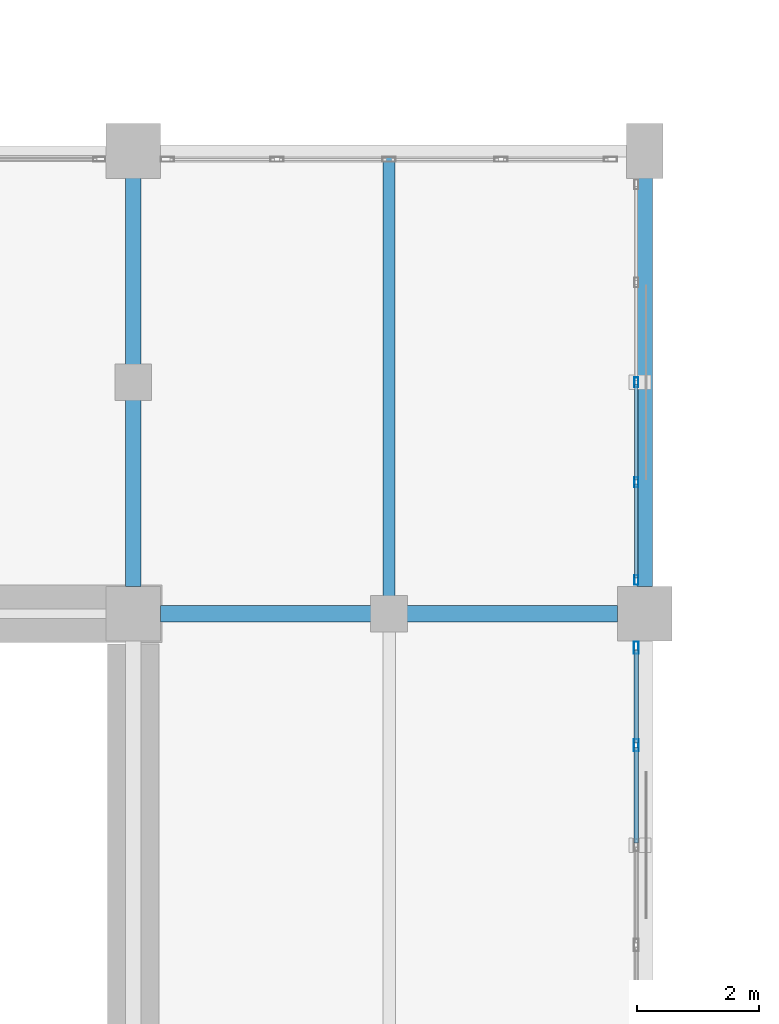
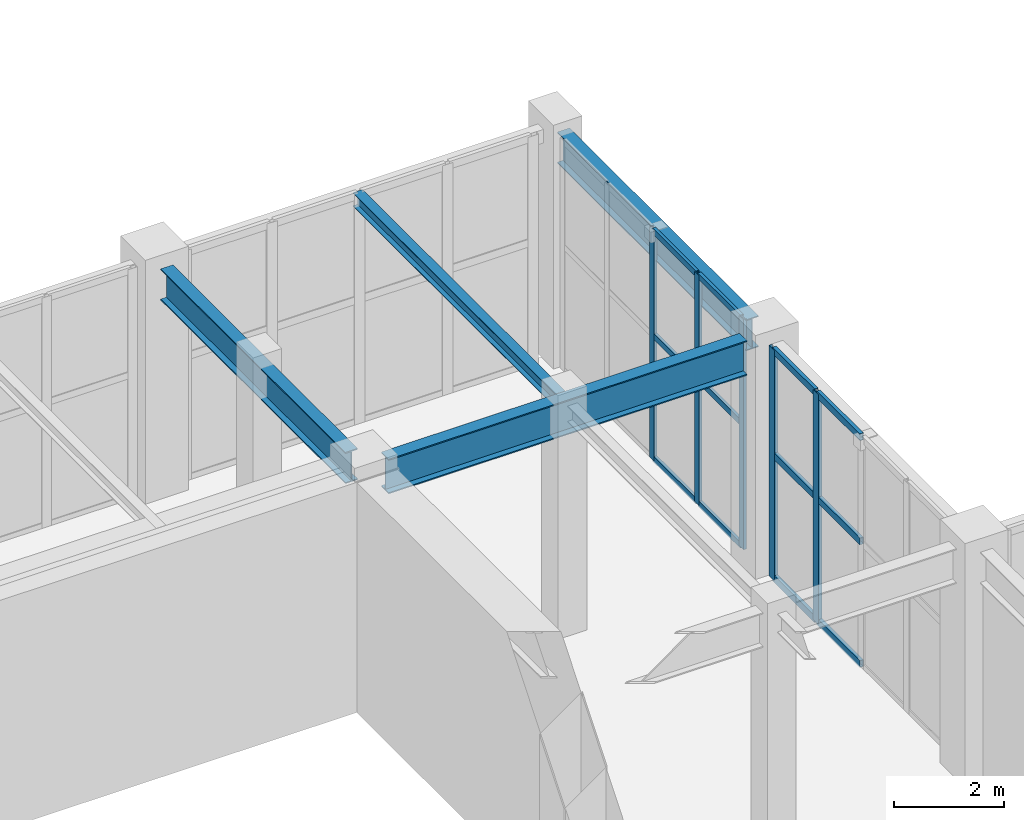
# One storey, part 67 of 139: 17 members, 4 beams, 2 elements without a shape of their own.
"""IFC4 building model written with IfcOpenShell, lengths in metres."""

from ifc_helpers import new_model, si_unit, direction, frame, origin, origin_2d, place, context, subcontext, project, spatial, hollow_rectangle, i_section, extrude, material, layer, layer_set, material_profile, profile_set, type_object, element, aggregate, save


model = new_model("IFC4")

# Units and contexts
model_context = context("Model", 3, precision=1e-05, world=origin(), true_north=direction((0.0, 1.0)))
body_context = subcontext(model_context, "Body", "Model", "MODEL_VIEW")
ifc_project = project(units=[si_unit("LENGTHUNIT", "METRE"), si_unit("AREAUNIT", "SQUARE_METRE"), si_unit("VOLUMEUNIT", "CUBIC_METRE"), si_unit("PLANEANGLEUNIT", "RADIAN"), si_unit("MASSUNIT", "GRAM", prefix="KILO")], contexts=[model_context])

# Site, building, storey
site_placement = place(None, origin())
site = spatial("IfcSite", under=ifc_project, at=site_placement, CompositionType="ELEMENT")
building_placement = place(site_placement, origin())
building = spatial("IfcBuilding", under=site, at=building_placement, Name="Xicomal Pleat Aquarium", CompositionType="ELEMENT")
storey_placement = place(building_placement, origin())
storey = spatial("IfcBuildingStorey", under=building, at=storey_placement, Name="L01", CompositionType="ELEMENT", Elevation=0.0)

# Beams
ifc_material_1 = material(Name="Structural steel A992 Gr 50", Category="steel")
ifc_material_profile_1 = material_profile(ifc_material_1, i_section(OverallWidth=0.202880859375, OverallDepth=0.302978515625, WebThickness=0.007568359375, FlangeThickness=0.01318359375, at=origin_2d()), Name="IR 310x60")
ifc_profile_set_1 = profile_set([ifc_material_profile_1], Name="Structural steel A992 Gr 50")
beam_type_1 = type_object("IfcBeamType", Name="BM-STL-IR310", PredefinedType="JOIST", material=ifc_profile_set_1)
beam_1_placement = place(storey_placement, frame((90.0, 76.136962890625, 4.948486328125), z_axis=(0.0, 1.0, 0.0), x_axis=(-1.0, 0.0, 0.0)))
element("IfcBeam", 1, at=beam_1_placement, inside=storey, type_object=beam_type_1, Name="L01 framing beam FBJ-L01-11-L-1", PredefinedType="JOIST", context=body_context, shape_type="SweptSolid", body=[
    extrude(i_section(OverallWidth=0.202880859375, OverallDepth=0.302978515625, WebThickness=0.007568359375, FlangeThickness=0.01318359375, at=origin_2d()), origin(), (0.0, 0.0, 1.0), 7.360107421875),
])
ifc_material_2 = material(Name="Structural steel A992 Gr 50", Category="steel")
ifc_material_profile_2 = material_profile(ifc_material_2, i_section(OverallWidth=0.256103515625, OverallDepth=0.693115234375, WebThickness=0.014404296875, FlangeThickness=0.023681640625, at=origin_2d()), Name="IR 690x170")
ifc_profile_set_2 = profile_set([ifc_material_profile_2], Name="Structural steel A992 Gr 50")
beam_type_2 = type_object("IfcBeamType", Name="BM-STL-IR690", PredefinedType="BEAM", material=ifc_profile_set_2)
beam_2_placement = place(storey_placement, frame((85.800048828125, 76.445068359375, 4.75341796875), z_axis=(0.0, 1.0, 0.0), x_axis=(-1.0, 0.0, 0.0)))
element("IfcBeam", 2, at=beam_2_placement, inside=storey, type_object=beam_type_2, Name="L01 framing beam FGY-L01-11-L-M", PredefinedType="BEAM", context=body_context, shape_type="SweptSolid", body=[
    extrude(i_section(OverallWidth=0.256103515625, OverallDepth=0.693115234375, WebThickness=0.014404296875, FlangeThickness=0.023681640625, at=origin_2d()), origin(), (0.0, 0.0, 1.0), 6.7099609375),
])
beam_3_placement = place(storey_placement, frame((94.199951171875, 76.445068359375, 4.75341796875), z_axis=(0.0, 1.0, 0.0), x_axis=(-1.0, 0.0, 0.0)))
element("IfcBeam", 3, at=beam_3_placement, inside=storey, type_object=beam_type_2, Name="L01 framing beam FGY-L01-12-L-M", PredefinedType="BEAM", context=body_context, shape_type="SweptSolid", body=[
    extrude(i_section(OverallWidth=0.256103515625, OverallDepth=0.693115234375, WebThickness=0.014404296875, FlangeThickness=0.023681640625, at=origin_2d()), origin(), (0.0, 0.0, 1.0), 6.85986328125),
])
ifc_material_3 = material(Name="Structural steel A992 Gr 50", Category="steel")
ifc_material_profile_3 = material_profile(ifc_material_3, i_section(OverallWidth=0.26806640625, OverallDepth=0.77001953125, WebThickness=0.015625, FlangeThickness=0.025390625, at=origin_2d()), Name="IR 760x196")
ifc_profile_set_3 = profile_set([ifc_material_profile_3], Name="Structural steel A992 Gr 50")
beam_type_3 = type_object("IfcBeamType", Name="BM-STL-IR760", PredefinedType="BEAM", material=ifc_profile_set_3)
beam_4_placement = place(storey_placement, frame((86.2451171875, 76.0, 4.715087890625), z_axis=(1.0, 0.0, 0.0), x_axis=(0.0, 1.0, 0.0)))
element("IfcBeam", 4, at=beam_4_placement, inside=storey, type_object=beam_type_3, Name="L01 framing beam FGX-L01-11-12-L", PredefinedType="BEAM", context=body_context, shape_type="SweptSolid", body=[
    extrude(i_section(OverallWidth=0.26806640625, OverallDepth=0.77001953125, WebThickness=0.015625, FlangeThickness=0.025390625, at=origin_2d()), origin(), (0.0, 0.0, 1.0), 7.509765625),
])

# Curtain wall, members
ifc_material_4 = material(Name="Bronze anodized aluminium 6063-T6", Category="aluminium")
ifc_layer_1 = layer(ifc_material_4, 0.159912109375)
ifc_layer_set_1 = layer_set([ifc_layer_1], Name="Bronze anodized aluminium 6063-T6")
curtain_wall_type_1 = type_object("IfcCurtainWallType", Name="CW-SYS-01", PredefinedType="NOTDEFINED", material=ifc_layer_set_1)
curtain_wall_1_placement = place(storey_placement, origin())
curtain_wall_1 = element("IfcCurtainWall", 5, at=curtain_wall_1_placement, inside=storey, type_object=curtain_wall_type_1, Name="L01 unitised curtain wall CW-L01-039", PredefinedType="NOTDEFINED")
ifc_material_5 = material(Name="Bronze anodized aluminium 6063-T6", Category="aluminium")
ifc_material_profile_4 = material_profile(ifc_material_5, hollow_rectangle(XDim=0.06494140625, YDim=0.159912109375, WallThickness=0.00390625, at=origin_2d()), Name="ALU MULL 65x160")
ifc_profile_set_4 = profile_set([ifc_material_profile_4], Name="Bronze anodized aluminium 6063-T6")
member_type_1 = type_object("IfcMemberType", Name="CWM-65x160", PredefinedType="MULLION", material=ifc_profile_set_4)
member_1_placement = place(storey_placement, frame((94.06005859375, 79.800048828125, 0.0), z_axis=(0.0, 0.0, 1.0), x_axis=(1.0, 0.0, 0.0)))
member_1 = element("IfcMember", 6, at=member_1_placement, type_object=member_type_1, Name="CW-01 mullion 3", PredefinedType="MULLION", context=body_context, shape_type="SweptSolid", body=[
    extrude(hollow_rectangle(XDim=0.06494140625, YDim=0.159912109375, WallThickness=0.00390625, at=origin_2d()), origin(), (0.0, 0.0, 1.0), 5.10009765625),
])
member_2_placement = place(storey_placement, frame((94.06005859375, 78.159912109375, 0.0), z_axis=(0.0, 0.0, 1.0), x_axis=(1.0, 0.0, 0.0)))
member_2 = element("IfcMember", 7, at=member_2_placement, type_object=member_type_1, Name="CW-01 mullion 4", PredefinedType="MULLION", context=body_context, shape_type="SweptSolid", body=[
    extrude(hollow_rectangle(XDim=0.06494140625, YDim=0.159912109375, WallThickness=0.00390625, at=origin_2d()), origin(), (0.0, 0.0, 1.0), 5.10009765625),
])
member_3_placement = place(storey_placement, frame((94.06005859375, 76.552490234375, 0.0), z_axis=(0.0, 0.0, 1.0), x_axis=(1.0, 0.0, 0.0)))
member_3 = element("IfcMember", 8, at=member_3_placement, type_object=member_type_1, Name="CW-01 mullion 5", PredefinedType="MULLION", context=body_context, shape_type="SweptSolid", body=[
    extrude(hollow_rectangle(XDim=0.06494140625, YDim=0.159912109375, WallThickness=0.00390625, at=origin_2d()), origin(), (0.0, 0.0, 1.0), 5.10009765625),
])

ifc_material_6 = material(Name="Bronze anodized aluminium 6063-T6", Category="aluminium")
ifc_layer_2 = layer(ifc_material_6, 0.159912109375)
ifc_layer_set_2 = layer_set([ifc_layer_2], Name="Bronze anodized aluminium 6063-T6")
curtain_wall_type_2 = type_object("IfcCurtainWallType", Name="CW-SYS-06", PredefinedType="NOTDEFINED", material=ifc_layer_set_2)
curtain_wall_2_placement = place(storey_placement, origin())
curtain_wall_2 = element("IfcCurtainWall", 9, at=curtain_wall_2_placement, inside=storey, type_object=curtain_wall_type_2, Name="L01 unitised curtain wall CW-L01-040", PredefinedType="NOTDEFINED")
ifc_material_7 = material(Name="Bronze anodized aluminium 6063-T6", Category="aluminium")
ifc_material_profile_5 = material_profile(ifc_material_7, hollow_rectangle(XDim=0.074951171875, YDim=0.199951171875, WallThickness=0.00439453125, at=origin_2d()), Name="ALU MULL 75x200")
ifc_profile_set_5 = profile_set([ifc_material_profile_5], Name="Bronze anodized aluminium 6063-T6")
member_type_2 = type_object("IfcMemberType", Name="CWM-75x200", PredefinedType="MULLION", material=ifc_profile_set_5)
member_4_placement = place(storey_placement, frame((94.06005859375, 75.4423828125, 0.0), z_axis=(0.0, 0.0, 1.0), x_axis=(1.0, 0.0, 0.0)))
member_4 = element("IfcMember", 10, at=member_4_placement, type_object=member_type_2, Name="CW-06 mullion 1", PredefinedType="MULLION", context=body_context, shape_type="SweptSolid", body=[
    extrude(hollow_rectangle(XDim=0.074951171875, YDim=0.199951171875, WallThickness=0.00439453125, at=origin_2d()), origin(), (0.0, 0.0, 1.0), 5.10009765625),
])
member_5_placement = place(storey_placement, frame((94.06005859375, 73.840087890625, 0.0), z_axis=(0.0, 0.0, 1.0), x_axis=(1.0, 0.0, 0.0)))
member_5 = element("IfcMember", 11, at=member_5_placement, type_object=member_type_2, Name="CW-06 mullion 2", PredefinedType="MULLION", context=body_context, shape_type="SweptSolid", body=[
    extrude(hollow_rectangle(XDim=0.074951171875, YDim=0.199951171875, WallThickness=0.00439453125, at=origin_2d()), origin(), (0.0, 0.0, 1.0), 5.10009765625),
])

# Member
ifc_material_8 = material(Name="Bronze anodized aluminium 6063-T6", Category="aluminium")
ifc_material_profile_6 = material_profile(ifc_material_8, hollow_rectangle(XDim=0.06494140625, YDim=0.1298828125, WallThickness=0.00390625, at=origin_2d()), Name="ALU TRAN 65x130")
ifc_profile_set_6 = profile_set([ifc_material_profile_6], Name="Bronze anodized aluminium 6063-T6")
member_type_3 = type_object("IfcMemberType", Name="CWT-65x130", PredefinedType="USERDEFINED", material=ifc_profile_set_6)
member_6_placement = place(storey_placement, frame((94.06005859375, 79.767578125, 0.032470703125), z_axis=(0.0, -1.0, 0.0), x_axis=(1.0, 0.0, 0.0)))
member_6 = element("IfcMember", 12, at=member_6_placement, type_object=member_type_3, Name="CW-01 transom 3.1", ObjectType="TRANSOM", PredefinedType="USERDEFINED", context=body_context, shape_type="SweptSolid", body=[
    extrude(hollow_rectangle(XDim=0.06494140625, YDim=0.1298828125, WallThickness=0.00390625, at=origin_2d()), origin(), (0.0, 0.0, 1.0), 1.5751953125),
])

member_7_placement = place(storey_placement, frame((94.06005859375, 79.767578125, 2.75390625), z_axis=(0.0, -1.0, 0.0), x_axis=(1.0, 0.0, 0.0)))
member_7 = element("IfcMember", 13, at=member_7_placement, type_object=member_type_3, Name="CW-01 transom 3.2", ObjectType="TRANSOM", PredefinedType="USERDEFINED", context=body_context, shape_type="SweptSolid", body=[
    extrude(hollow_rectangle(XDim=0.06494140625, YDim=0.1298828125, WallThickness=0.00390625, at=origin_2d()), origin(), (0.0, 0.0, 1.0), 1.5751953125),
])

member_8_placement = place(storey_placement, frame((94.06005859375, 79.767578125, 5.0673828125), z_axis=(0.0, -1.0, 0.0), x_axis=(1.0, 0.0, 0.0)))
member_8 = element("IfcMember", 14, at=member_8_placement, type_object=member_type_3, Name="CW-01 transom 3.3", ObjectType="TRANSOM", PredefinedType="USERDEFINED", context=body_context, shape_type="SweptSolid", body=[
    extrude(hollow_rectangle(XDim=0.06494140625, YDim=0.1298828125, WallThickness=0.00390625, at=origin_2d()), origin(), (0.0, 0.0, 1.0), 1.5751953125),
])

member_9_placement = place(storey_placement, frame((94.06005859375, 78.12744140625, 0.032470703125), z_axis=(0.0, -1.0, 0.0), x_axis=(1.0, 0.0, 0.0)))
member_9 = element("IfcMember", 15, at=member_9_placement, type_object=member_type_3, Name="CW-01 transom 4.1", ObjectType="TRANSOM", PredefinedType="USERDEFINED", context=body_context, shape_type="SweptSolid", body=[
    extrude(hollow_rectangle(XDim=0.06494140625, YDim=0.1298828125, WallThickness=0.00390625, at=origin_2d()), origin(), (0.0, 0.0, 1.0), 1.54248046875),
])

member_10_placement = place(storey_placement, frame((94.06005859375, 78.12744140625, 2.75390625), z_axis=(0.0, -1.0, 0.0), x_axis=(1.0, 0.0, 0.0)))
member_10 = element("IfcMember", 16, at=member_10_placement, type_object=member_type_3, Name="CW-01 transom 4.2", ObjectType="TRANSOM", PredefinedType="USERDEFINED", context=body_context, shape_type="SweptSolid", body=[
    extrude(hollow_rectangle(XDim=0.06494140625, YDim=0.1298828125, WallThickness=0.00390625, at=origin_2d()), origin(), (0.0, 0.0, 1.0), 1.54248046875),
])

member_11_placement = place(storey_placement, frame((94.06005859375, 78.12744140625, 5.0673828125), z_axis=(0.0, -1.0, 0.0), x_axis=(1.0, 0.0, 0.0)))
member_11 = element("IfcMember", 17, at=member_11_placement, type_object=member_type_3, Name="CW-01 transom 4.3", ObjectType="TRANSOM", PredefinedType="USERDEFINED", context=body_context, shape_type="SweptSolid", body=[
    extrude(hollow_rectangle(XDim=0.06494140625, YDim=0.1298828125, WallThickness=0.00390625, at=origin_2d()), origin(), (0.0, 0.0, 1.0), 1.54248046875),
])

aggregate(curtain_wall_1, [member_1, member_2, member_3, member_6, member_7, member_8, member_9, member_10, member_11])

ifc_material_9 = material(Name="Bronze anodized aluminium 6063-T6", Category="aluminium")
ifc_material_profile_7 = material_profile(ifc_material_9, hollow_rectangle(XDim=0.074951171875, YDim=0.14990234375, WallThickness=0.00439453125, at=origin_2d()), Name="ALU TRAN 75x150")
ifc_profile_set_7 = profile_set([ifc_material_profile_7], Name="Bronze anodized aluminium 6063-T6")
member_type_4 = type_object("IfcMemberType", Name="CWT-75x150", PredefinedType="USERDEFINED", material=ifc_profile_set_7)
member_12_placement = place(storey_placement, frame((94.06005859375, 75.405029296875, 0.03759765625), z_axis=(0.0, -1.0, 0.0), x_axis=(1.0, 0.0, 0.0)))
member_12 = element("IfcMember", 18, at=member_12_placement, type_object=member_type_4, Name="CW-06 transom 1.1", ObjectType="TRANSOM", PredefinedType="USERDEFINED", context=body_context, shape_type="SweptSolid", body=[
    extrude(hollow_rectangle(XDim=0.074951171875, YDim=0.14990234375, WallThickness=0.00439453125, at=origin_2d()), origin(), (0.0, 0.0, 1.0), 1.527587890625),
])

member_13_placement = place(storey_placement, frame((94.06005859375, 75.405029296875, 2.75390625), z_axis=(0.0, -1.0, 0.0), x_axis=(1.0, 0.0, 0.0)))
member_13 = element("IfcMember", 19, at=member_13_placement, type_object=member_type_4, Name="CW-06 transom 1.2", ObjectType="TRANSOM", PredefinedType="USERDEFINED", context=body_context, shape_type="SweptSolid", body=[
    extrude(hollow_rectangle(XDim=0.074951171875, YDim=0.14990234375, WallThickness=0.00439453125, at=origin_2d()), origin(), (0.0, 0.0, 1.0), 1.527587890625),
])

member_14_placement = place(storey_placement, frame((94.06005859375, 75.405029296875, 5.0625), z_axis=(0.0, -1.0, 0.0), x_axis=(1.0, 0.0, 0.0)))
member_14 = element("IfcMember", 20, at=member_14_placement, type_object=member_type_4, Name="CW-06 transom 1.3", ObjectType="TRANSOM", PredefinedType="USERDEFINED", context=body_context, shape_type="SweptSolid", body=[
    extrude(hollow_rectangle(XDim=0.074951171875, YDim=0.14990234375, WallThickness=0.00439453125, at=origin_2d()), origin(), (0.0, 0.0, 1.0), 1.527587890625),
])

member_15_placement = place(storey_placement, frame((94.06005859375, 73.802490234375, 0.03759765625), z_axis=(0.0, -1.0, 0.0), x_axis=(1.0, 0.0, 0.0)))
member_15 = element("IfcMember", 21, at=member_15_placement, type_object=member_type_4, Name="CW-06 transom 2.1", ObjectType="TRANSOM", PredefinedType="USERDEFINED", context=body_context, shape_type="SweptSolid", body=[
    extrude(hollow_rectangle(XDim=0.074951171875, YDim=0.14990234375, WallThickness=0.00439453125, at=origin_2d()), origin(), (0.0, 0.0, 1.0), 1.56494140625),
])

member_16_placement = place(storey_placement, frame((94.06005859375, 73.802490234375, 2.75390625), z_axis=(0.0, -1.0, 0.0), x_axis=(1.0, 0.0, 0.0)))
member_16 = element("IfcMember", 22, at=member_16_placement, type_object=member_type_4, Name="CW-06 transom 2.2", ObjectType="TRANSOM", PredefinedType="USERDEFINED", context=body_context, shape_type="SweptSolid", body=[
    extrude(hollow_rectangle(XDim=0.074951171875, YDim=0.14990234375, WallThickness=0.00439453125, at=origin_2d()), origin(), (0.0, 0.0, 1.0), 1.56494140625),
])

member_17_placement = place(storey_placement, frame((94.06005859375, 73.802490234375, 5.0625), z_axis=(0.0, -1.0, 0.0), x_axis=(1.0, 0.0, 0.0)))
member_17 = element("IfcMember", 23, at=member_17_placement, type_object=member_type_4, Name="CW-06 transom 2.3", ObjectType="TRANSOM", PredefinedType="USERDEFINED", context=body_context, shape_type="SweptSolid", body=[
    extrude(hollow_rectangle(XDim=0.074951171875, YDim=0.14990234375, WallThickness=0.00439453125, at=origin_2d()), origin(), (0.0, 0.0, 1.0), 1.56494140625),
])

aggregate(curtain_wall_2, [member_4, member_5, member_12, member_13, member_14, member_15, member_16, member_17])

save(model, "model.ifc")
